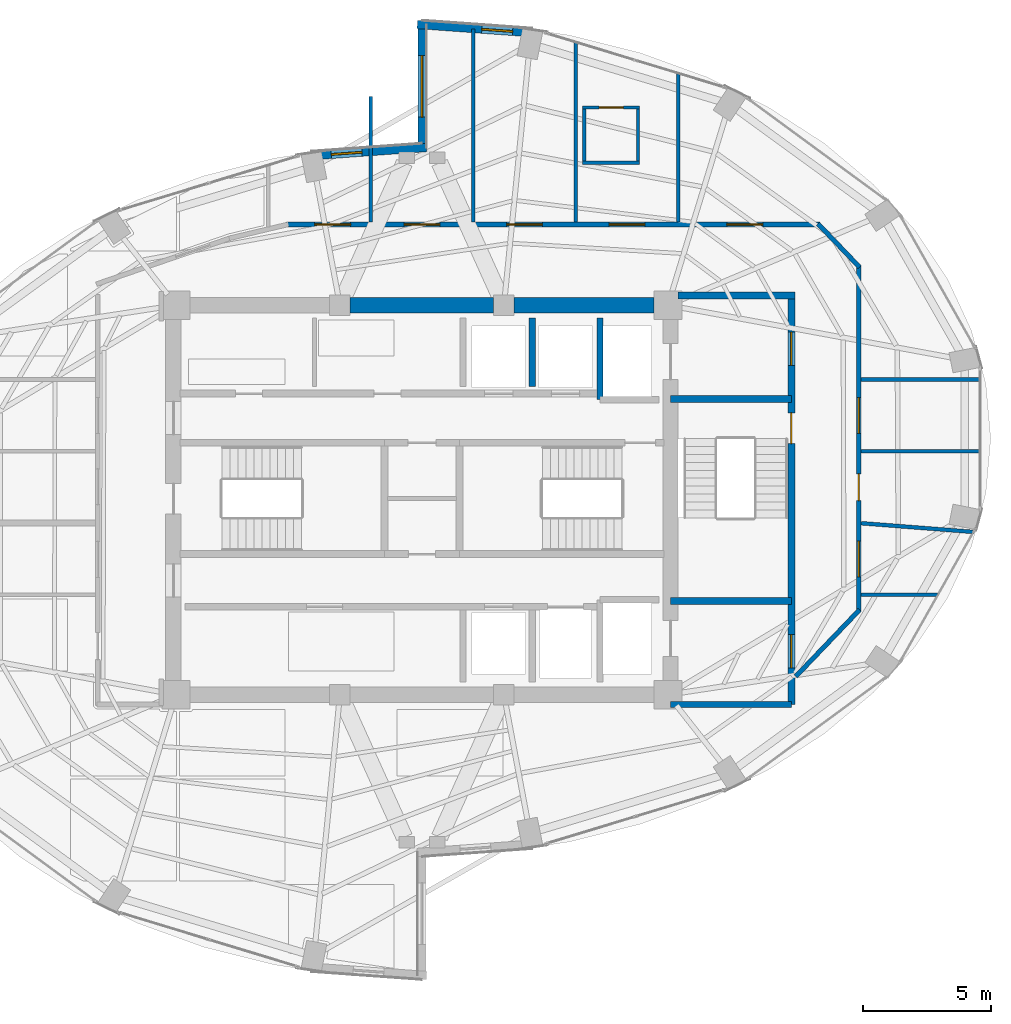
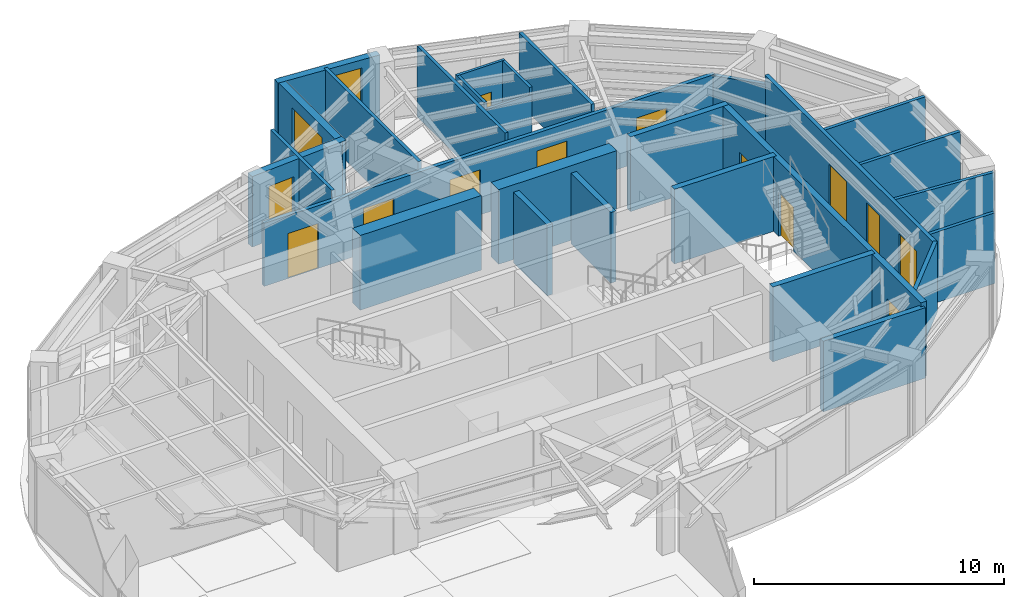
# One storey, part 20 of 23: 28 walls, 12 doors, 3 windows, 15 openings.
"""IFC4 building model written with IfcOpenShell, lengths in metres."""

from ifc_helpers import new_model, si_unit, direction, frame, frame_2d, origin, place, context, subcontext, project, spatial, rectangle, extrude, material, layer, layer_set, type_object, element, fill, save


model = new_model("IFC4")

# Units and contexts
model_context = context("Model", 3, precision=1e-05, world=origin(), true_north=direction((0.0, 1.0)))
body_context = subcontext(model_context, "Body", "Model", "MODEL_VIEW")
ifc_project = project(units=[si_unit("LENGTHUNIT", "METRE"), si_unit("AREAUNIT", "SQUARE_METRE"), si_unit("VOLUMEUNIT", "CUBIC_METRE"), si_unit("PLANEANGLEUNIT", "RADIAN"), si_unit("MASSUNIT", "GRAM", prefix="KILO")], contexts=[model_context])

# Site, building, storey
site_placement = place(None, origin())
site = spatial("IfcSite", under=ifc_project, at=site_placement, CompositionType="ELEMENT")
building_placement = place(site_placement, origin())
building = spatial("IfcBuilding", under=site, at=building_placement, Name="Lazwardi Medical Tower", CompositionType="ELEMENT")
storey_placement = place(building_placement, frame((0.0, 0.0, 202.1279296875)))
storey = spatial("IfcBuildingStorey", under=building, at=storey_placement, Name="L52", CompositionType="ELEMENT", Elevation=202.1279296875)

# Wall, openings, doors
ifc_material_1 = material(Name="Fire-rated gypsum board on steel stud", Category="steel")
ifc_layer_1 = layer(ifc_material_1, 0.179931640625)
ifc_layer_set_1 = layer_set([ifc_layer_1], Name="Fire-rated gypsum board on steel stud")
wall_type_1 = type_object("IfcWallType", Name="WL-COR-180", PredefinedType="PARTITIONING", material=ifc_layer_set_1)
wall_1_placement = place(storey_placement, frame((30.709716796875, 38.75, 0.0), z_axis=(0.0, 0.0, 1.0), x_axis=(1.0, 0.0, 0.0)))
wall_1 = element("IfcWall", 1, at=wall_1_placement, inside=storey, type_object=wall_type_1, Name="L52 Corridor partition 3", PredefinedType="PARTITIONING", context=body_context, shape_type="SweptSolid", body=[
    extrude(rectangle(XDim=20.8154296875, YDim=0.179931640625, at=frame_2d((10.40771484375, 0.0))), origin(), (0.0, 0.0, 1.0), 3.072998046875),
])
opening_1_placement = place(wall_1_placement, frame((17.19384765625, 0.0, 0.0)))
opening_1 = element("IfcOpeningElement", 2, at=opening_1_placement, cuts=wall_1, Name="Opening D-L52-016", PredefinedType="OPENING", context=body_context, shape_type="SweptSolid", body=[
    extrude(rectangle(XDim=1.39990234375, YDim=2.199951171875, at=frame_2d((0.699951171875, 1.10009765625))), frame((0.0, 0.099853515625, 0.0), z_axis=(0.0, -1.0, 0.0), x_axis=(1.0, 0.0, 0.0)), (0.0, 0.0, 1.0), 0.199951171875),
])
opening_2_placement = place(wall_1_placement, frame((12.590087890625, 0.0, 0.0)))
opening_2 = element("IfcOpeningElement", 3, at=opening_2_placement, cuts=wall_1, Name="Opening D-L52-017", PredefinedType="OPENING", context=body_context, shape_type="SweptSolid", body=[
    extrude(rectangle(XDim=1.39990234375, YDim=2.199951171875, at=frame_2d((0.699951171875, 1.10009765625))), frame((0.0, 0.099853515625, 0.0), z_axis=(0.0, -1.0, 0.0), x_axis=(1.0, 0.0, 0.0)), (0.0, 0.0, 1.0), 0.199951171875),
])
opening_3_placement = place(wall_1_placement, frame((8.590087890625, 0.0, 0.0)))
opening_3 = element("IfcOpeningElement", 4, at=opening_3_placement, cuts=wall_1, Name="Opening D-L52-018", PredefinedType="OPENING", context=body_context, shape_type="SweptSolid", body=[
    extrude(rectangle(XDim=1.39990234375, YDim=2.199951171875, at=frame_2d((0.699951171875, 1.10009765625))), frame((0.0, 0.099853515625, 0.0), z_axis=(0.0, -1.0, 0.0), x_axis=(1.0, 0.0, 0.0)), (0.0, 0.0, 1.0), 0.199951171875),
])
opening_4_placement = place(wall_1_placement, frame((4.590087890625, 0.0, 0.0)))
opening_4 = element("IfcOpeningElement", 5, at=opening_4_placement, cuts=wall_1, Name="Opening D-L52-019", PredefinedType="OPENING", context=body_context, shape_type="SweptSolid", body=[
    extrude(rectangle(XDim=1.39990234375, YDim=2.199951171875, at=frame_2d((0.699951171875, 1.10009765625))), frame((0.0, 0.099853515625, 0.0), z_axis=(0.0, -1.0, 0.0), x_axis=(1.0, 0.0, 0.0)), (0.0, 0.0, 1.0), 0.199951171875),
])
opening_5_placement = place(wall_1_placement, frame((1.10400390625, 0.0, 0.0)))
opening_5 = element("IfcOpeningElement", 6, at=opening_5_placement, cuts=wall_1, Name="Opening D-L52-020", PredefinedType="OPENING", context=body_context, shape_type="SweptSolid", body=[
    extrude(rectangle(XDim=1.39990234375, YDim=2.199951171875, at=frame_2d((0.699951171875, 1.10009765625))), frame((0.0, 0.099853515625, 0.0), z_axis=(0.0, -1.0, 0.0), x_axis=(1.0, 0.0, 0.0)), (0.0, 0.0, 1.0), 0.199951171875),
])
ifc_material_2 = material(Name="Anti-microbial laminate hospital leaf")
door_type_1 = type_object("IfcDoorType", Name="DR-BED-1400", OperationType="NOTDEFINED", PredefinedType="DOOR", material=ifc_material_2)
door_1_placement = place(opening_1_placement, origin())
door_1 = element("IfcDoor", 7, at=door_1_placement, inside=storey, type_object=door_type_1, Name="L52 Inpatient Ward Door 06", OperationType="SINGLE_SWING_LEFT", OverallHeight=2.199951171875, OverallWidth=1.39990234375, PredefinedType="DOOR", context=body_context, shape_type="SweptSolid", body=[
    extrude(rectangle(XDim=1.39990234375, YDim=2.199951171875, at=frame_2d((0.699951171875, 1.10009765625))), frame((0.0, 0.02490234375, 0.0), z_axis=(0.0, -1.0, 0.0), x_axis=(1.0, 0.0, 0.0)), (0.0, 0.0, 1.0), 0.050048828125),
])
fill(opening_1, door_1)
door_2_placement = place(opening_2_placement, origin())
door_2 = element("IfcDoor", 8, at=door_2_placement, inside=storey, type_object=door_type_1, Name="L52 Patient Bedroom Door 07", OperationType="SINGLE_SWING_LEFT", OverallHeight=2.199951171875, OverallWidth=1.39990234375, PredefinedType="DOOR", context=body_context, shape_type="SweptSolid", body=[
    extrude(rectangle(XDim=1.39990234375, YDim=2.199951171875, at=frame_2d((0.699951171875, 1.10009765625))), frame((0.0, 0.02490234375, 0.0), z_axis=(0.0, -1.0, 0.0), x_axis=(1.0, 0.0, 0.0)), (0.0, 0.0, 1.0), 0.050048828125),
])
fill(opening_2, door_2)
door_3_placement = place(opening_3_placement, origin())
door_3 = element("IfcDoor", 9, at=door_3_placement, inside=storey, type_object=door_type_1, Name="L52 Inpatient Ward Door 08", OperationType="SINGLE_SWING_RIGHT", OverallHeight=2.199951171875, OverallWidth=1.39990234375, PredefinedType="DOOR", context=body_context, shape_type="SweptSolid", body=[
    extrude(rectangle(XDim=1.39990234375, YDim=2.199951171875, at=frame_2d((0.699951171875, 1.10009765625))), frame((0.0, 0.02490234375, 0.0), z_axis=(0.0, -1.0, 0.0), x_axis=(1.0, 0.0, 0.0)), (0.0, 0.0, 1.0), 0.050048828125),
])
fill(opening_3, door_3)
door_4_placement = place(opening_4_placement, origin())
door_4 = element("IfcDoor", 10, at=door_4_placement, inside=storey, type_object=door_type_1, Name="L52 Outpatient Clinic Door 09", OperationType="SINGLE_SWING_LEFT", OverallHeight=2.199951171875, OverallWidth=1.39990234375, PredefinedType="DOOR", context=body_context, shape_type="SweptSolid", body=[
    extrude(rectangle(XDim=1.39990234375, YDim=2.199951171875, at=frame_2d((0.699951171875, 1.10009765625))), frame((0.0, 0.02490234375, 0.0), z_axis=(0.0, -1.0, 0.0), x_axis=(1.0, 0.0, 0.0)), (0.0, 0.0, 1.0), 0.050048828125),
])
fill(opening_4, door_4)
door_5_placement = place(opening_5_placement, origin())
door_5 = element("IfcDoor", 11, at=door_5_placement, inside=storey, type_object=door_type_1, Name="L52 Outpatient Clinic Door 10", OperationType="SINGLE_SWING_RIGHT", OverallHeight=2.199951171875, OverallWidth=1.39990234375, PredefinedType="DOOR", context=body_context, shape_type="SweptSolid", body=[
    extrude(rectangle(XDim=1.39990234375, YDim=2.199951171875, at=frame_2d((0.699951171875, 1.10009765625))), frame((0.0, 0.02490234375, 0.0), z_axis=(0.0, -1.0, 0.0), x_axis=(1.0, 0.0, 0.0)), (0.0, 0.0, 1.0), 0.050048828125),
])
fill(opening_5, door_5)

# Wall
wall_2_placement = place(storey_placement, frame((51.45751953125, 38.77880859375, 0.0), z_axis=(0.0, 0.0, 1.0), x_axis=(0.691359830363, -0.722510612352, 0.0)))
element("IfcWall", 12, at=wall_2_placement, inside=storey, type_object=wall_type_1, Name="L52 Corridor partition 4", PredefinedType="PARTITIONING", context=body_context, shape_type="SweptSolid", body=[
    extrude(rectangle(XDim=2.34326171875, YDim=0.179931640625, at=frame_2d((1.171630859375, 0.0))), origin(), (0.0, 0.0, 1.0), 3.032958984375),
])

# Wall, openings, doors
wall_3_placement = place(storey_placement, frame((53.050048828125, 37.154541015625, 0.0), z_axis=(0.0, 0.0, 1.0), x_axis=(0.0, -1.0, 0.0)))
wall_3 = element("IfcWall", 13, at=wall_3_placement, inside=storey, type_object=wall_type_1, Name="L52 Corridor partition 5", PredefinedType="PARTITIONING", context=body_context, shape_type="SweptSolid", body=[
    extrude(rectangle(XDim=13.509033203125, YDim=0.179931640625, at=frame_2d((6.75439453125, 0.0))), origin(), (0.0, 0.0, 1.0), 3.447998046875),
])
opening_6_placement = place(wall_3_placement, frame((10.7578125, 0.0, 0.0)))
opening_6 = element("IfcOpeningElement", 14, at=opening_6_placement, cuts=wall_3, Name="Opening D-L52-013", PredefinedType="OPENING", context=body_context, shape_type="SweptSolid", body=[
    extrude(rectangle(XDim=1.39990234375, YDim=2.199951171875, at=frame_2d((0.699951171875, 1.10009765625))), frame((0.0, 0.099853515625, 0.0), z_axis=(0.0, -1.0, 0.0), x_axis=(1.0, 0.0, 0.0)), (0.0, 0.0, 1.0), 0.199951171875),
])
opening_7_placement = place(wall_3_placement, frame((8.132568359375, 0.0, 0.0)))
opening_7 = element("IfcOpeningElement", 15, at=opening_7_placement, cuts=wall_3, Name="Opening D-L52-014", PredefinedType="OPENING", context=body_context, shape_type="SweptSolid", body=[
    extrude(rectangle(XDim=1.050048828125, YDim=2.14990234375, at=frame_2d((0.52490234375, 1.074951171875))), frame((0.0, 0.099853515625, 0.0), z_axis=(0.0, -1.0, 0.0), x_axis=(1.0, 0.0, 0.0)), (0.0, 0.0, 1.0), 0.199951171875),
])
opening_8_placement = place(wall_3_placement, frame((5.154541015625, 0.0, 0.0)))
opening_8 = element("IfcOpeningElement", 16, at=opening_8_placement, cuts=wall_3, Name="Opening D-L52-015", PredefinedType="OPENING", context=body_context, shape_type="SweptSolid", body=[
    extrude(rectangle(XDim=1.39990234375, YDim=2.199951171875, at=frame_2d((0.699951171875, 1.10009765625))), frame((0.0, 0.099853515625, 0.0), z_axis=(0.0, -1.0, 0.0), x_axis=(1.0, 0.0, 0.0)), (0.0, 0.0, 1.0), 0.199951171875),
])
door_6_placement = place(opening_6_placement, origin())
door_6 = element("IfcDoor", 17, at=door_6_placement, inside=storey, type_object=door_type_1, Name="L52 Patient Day Lounge Door 03", OperationType="SINGLE_SWING_RIGHT", OverallHeight=2.199951171875, OverallWidth=1.39990234375, PredefinedType="DOOR", context=body_context, shape_type="SweptSolid", body=[
    extrude(rectangle(XDim=1.39990234375, YDim=2.199951171875, at=frame_2d((0.699951171875, 1.10009765625))), frame((0.0, 0.02490234375, 0.0), z_axis=(0.0, -1.0, 0.0), x_axis=(1.0, 0.0, 0.0)), (0.0, 0.0, 1.0), 0.050048828125),
])
fill(opening_6, door_6)
door_7_placement = place(opening_8_placement, origin())
door_7 = element("IfcDoor", 18, at=door_7_placement, inside=storey, type_object=door_type_1, Name="L52 Outpatient Clinic Door 05", OperationType="SINGLE_SWING_RIGHT", OverallHeight=2.199951171875, OverallWidth=1.39990234375, PredefinedType="DOOR", context=body_context, shape_type="SweptSolid", body=[
    extrude(rectangle(XDim=1.39990234375, YDim=2.199951171875, at=frame_2d((0.699951171875, 1.10009765625))), frame((0.0, 0.02490234375, 0.0), z_axis=(0.0, -1.0, 0.0), x_axis=(1.0, 0.0, 0.0)), (0.0, 0.0, 1.0), 0.050048828125),
])
fill(opening_8, door_7)
door_type_2 = type_object("IfcDoorType", Name="DR-CLN-1050", OperationType="NOTDEFINED", PredefinedType="DOOR", material=ifc_material_2)
door_8_placement = place(opening_7_placement, origin())
door_8 = element("IfcDoor", 19, at=door_8_placement, inside=storey, type_object=door_type_2, Name="L52 Ward Dietetic Pantry Door 04", OperationType="SINGLE_SWING_LEFT", OverallHeight=2.14990234375, OverallWidth=1.050048828125, PredefinedType="DOOR", context=body_context, shape_type="SweptSolid", body=[
    extrude(rectangle(XDim=1.050048828125, YDim=2.14990234375, at=frame_2d((0.52490234375, 1.074951171875))), frame((0.0, 0.02490234375, 0.0), z_axis=(0.0, -1.0, 0.0), x_axis=(1.0, 0.0, 0.0)), (0.0, 0.0, 1.0), 0.050048828125),
])
fill(opening_7, door_8)

# Walls
wall_4_placement = place(storey_placement, frame((53.07763671875, 23.71435546875, 0.0), z_axis=(0.0, 0.0, 1.0), x_axis=(-0.691353379446, -0.722516785085, 0.0)))
element("IfcWall", 20, at=wall_4_placement, inside=storey, type_object=wall_type_1, Name="L52 Corridor partition 6", PredefinedType="PARTITIONING", context=body_context, shape_type="SweptSolid", body=[
    extrude(rectangle(XDim=3.603759765625, YDim=0.179931640625, at=frame_2d((1.8017578125, 0.0))), origin(), (0.0, 0.0, 1.0), 3.447998046875),
])
ifc_material_3 = material(Name="Concrete C60/75", Category="concrete")
ifc_layer_2 = layer(ifc_material_3, 0.60009765625)
ifc_layer_set_2 = layer_set([ifc_layer_2], Name="Concrete C60/75")
wall_type_2 = type_object("IfcWallType", Name="WL-CORE-600", PredefinedType="SHEAR", material=ifc_layer_set_2)
wall_5_placement = place(storey_placement, frame((33.199951171875, 35.60009765625, 0.0), z_axis=(0.0, 0.0, 1.0), x_axis=(1.0, 0.0, 0.0)))
element("IfcWall", 21, at=wall_5_placement, inside=storey, type_object=wall_type_2, Name="Core wall CW-S3 N2 L52", PredefinedType="SHEAR", context=body_context, shape_type="SweptSolid", body=[
    extrude(rectangle(XDim=5.60009765625, YDim=0.60009765625, at=frame_2d((2.800048828125, 0.0))), origin(), (0.0, 0.0, 1.0), 3.64794921875),
])
wall_6_placement = place(storey_placement, frame((39.60009765625, 35.60009765625, 0.0), z_axis=(0.0, 0.0, 1.0), x_axis=(1.0, 0.0, 0.0)))
element("IfcWall", 22, at=wall_6_placement, inside=storey, type_object=wall_type_2, Name="Core wall CW-S3 N3 L52", PredefinedType="SHEAR", context=body_context, shape_type="SweptSolid", body=[
    extrude(rectangle(XDim=5.449951171875, YDim=0.60009765625, at=frame_2d((2.72509765625, 0.0))), origin(), (0.0, 0.0, 1.0), 3.64794921875),
])

# Wall, opening, door
ifc_material_4 = material(Name="Moisture-resistant gypsum board partition")
ifc_layer_3 = layer(ifc_material_4, 0.125)
ifc_layer_set_3 = layer_set([ifc_layer_3], Name="Moisture-resistant gypsum board partition")
wall_type_3 = type_object("IfcWallType", Name="WL-ENS-125", PredefinedType="PARTITIONING", material=ifc_layer_set_3)
wall_7_placement = place(storey_placement, frame((42.27490234375, 43.3193359375, 0.0), z_axis=(0.0, 0.0, 1.0), x_axis=(1.0, 0.0, 0.0)))
wall_7 = element("IfcWall", 23, at=wall_7_placement, inside=storey, type_object=wall_type_3, Name="L52 En-suite wall 7N", PredefinedType="PARTITIONING", context=body_context, shape_type="SweptSolid", body=[
    extrude(rectangle(XDim=2.22021484375, YDim=0.125, at=frame_2d((1.110107421875, 0.0))), origin(), (0.0, 0.0, 1.0), 3.447998046875),
])
opening_9_placement = place(wall_7_placement, frame((0.635009765625, 0.0, 0.0)))
opening_9 = element("IfcOpeningElement", 24, at=opening_9_placement, cuts=wall_7, Name="Opening D-L52-003", PredefinedType="OPENING", context=body_context, shape_type="SweptSolid", body=[
    extrude(rectangle(XDim=0.949951171875, YDim=2.10009765625, at=frame_2d((0.47509765625, 1.050048828125))), frame((0.0, 0.072509765625, 0.0), z_axis=(0.0, -1.0, 0.0), x_axis=(1.0, 0.0, 0.0)), (0.0, 0.0, 1.0), 0.14501953125),
])
ifc_material_5 = material(Name="Moisture-resistant laminate door leaf")
door_type_3 = type_object("IfcDoorType", Name="DR-ENS-950", OperationType="NOTDEFINED", PredefinedType="DOOR", material=ifc_material_5)
door_9_placement = place(opening_9_placement, origin())
door_9 = element("IfcDoor", 25, at=door_9_placement, inside=storey, type_object=door_type_3, Name="L52 En-suite Door 07", OperationType="SINGLE_SWING_RIGHT", OverallHeight=2.10009765625, OverallWidth=0.949951171875, PredefinedType="DOOR", context=body_context, shape_type="SweptSolid", body=[
    extrude(rectangle(XDim=0.949951171875, YDim=2.10009765625, at=frame_2d((0.47509765625, 1.050048828125))), frame((0.0, 0.02490234375, 0.0), z_axis=(0.0, -1.0, 0.0), x_axis=(1.0, 0.0, 0.0)), (0.0, 0.0, 1.0), 0.050048828125),
])
fill(opening_9, door_9)

# Walls
wall_8_placement = place(storey_placement, frame((42.27490234375, 41.159423828125, 0.0), z_axis=(0.0, 0.0, 1.0), x_axis=(1.0, 0.0, 0.0)))
element("IfcWall", 26, at=wall_8_placement, inside=storey, type_object=wall_type_3, Name="L52 En-suite wall 7S", PredefinedType="PARTITIONING", context=body_context, shape_type="SweptSolid", body=[
    extrude(rectangle(XDim=2.22021484375, YDim=0.125, at=frame_2d((1.110107421875, 0.0))), origin(), (0.0, 0.0, 1.0), 3.072998046875),
])
for number, where, z_axis, x_axis, name in (
    (27, (44.43505859375, 41.099365234375, 0.0), (0.0, 0.0, 1.0), (0.0, 1.0, 0.0), "L52 En-suite wall 7E"),
    (28, (42.3349609375, 41.099365234375, 0.0), (0.0, 0.0, 1.0), (0.0, 1.0, 0.0), "L52 En-suite wall 7W"),
):
    element("IfcWall", number, at=place(storey_placement, frame(where, z_axis=z_axis, x_axis=x_axis)), inside=storey, type_object=wall_type_3, Name=name, PredefinedType="PARTITIONING", context=body_context, shape_type="SweptSolid", body=[
        extrude(rectangle(XDim=2.280029296875, YDim=0.125, at=frame_2d((1.14013671875, 0.0))), origin(), (0.0, 0.0, 1.0), 3.447998046875),
    ])

# Wall, opening, window
ifc_material_6 = material(Name="Precast concrete C45/55", Category="concrete")
ifc_layer_4 = layer(ifc_material_6, 0.320068359375)
ifc_layer_set_4 = layer_set([ifc_layer_4], Name="Precast concrete C45/55")
wall_type_4 = type_object("IfcWallType", Name="WL-IWAN-320", PredefinedType="SOLIDWALL", material=ifc_layer_set_4)
wall_9_placement = place(storey_placement, frame((40.349609375, 46.226318359375, 0.0), z_axis=(0.0, 0.0, 1.0), x_axis=(-0.997409061056, 0.071938619141, 0.0)))
wall_9 = element("IfcWall", 29, at=wall_9_placement, inside=storey, type_object=wall_type_4, Name="L52 Iwan Portal Return Wall NE_ret", PredefinedType="SOLIDWALL", context=body_context, shape_type="SweptSolid", body=[
    extrude(rectangle(XDim=4.540771484375, YDim=0.320068359375, at=frame_2d((2.2705078125, 0.0))), origin(), (0.0, 0.0, 1.0), 3.447998046875),
])
opening_10_placement = place(wall_9_placement, frame((0.814697265625, 0.0, 0.85009765625)))
opening_10 = element("IfcOpeningElement", 30, at=opening_10_placement, cuts=wall_9, Name="Opening WN-01", PredefinedType="OPENING", context=body_context, shape_type="SweptSolid", body=[
    extrude(rectangle(XDim=1.199951171875, YDim=2.199951171875, at=frame_2d((0.60009765625, 1.10009765625))), frame((0.0, 0.169921875, 0.0), z_axis=(0.0, -1.0, 0.0), x_axis=(1.0, 0.0, 0.0)), (0.0, 0.0, 1.0), 0.340087890625),
])
ifc_material_7 = material(Name="Low-e bronze solar control double glazing", Category="glass")
window_type_1 = type_object("IfcWindowType", Name="WIN-IW-1200", PartitioningType="SINGLE_PANEL", PredefinedType="WINDOW", material=ifc_material_7)
window_1_placement = place(opening_10_placement, origin())
window_1 = element("IfcWindow", 31, at=window_1_placement, inside=storey, type_object=window_type_1, Name="L52 Iwan Slot Window NE_ret", OverallHeight=2.199951171875, OverallWidth=1.199951171875, PartitioningType="SINGLE_PANEL", PredefinedType="WINDOW", context=body_context, shape_type="SweptSolid", body=[
    extrude(rectangle(XDim=1.199951171875, YDim=2.199951171875, at=frame_2d((0.60009765625, 1.10009765625))), frame((0.0, 0.030029296875, 0.0), z_axis=(0.0, -1.0, 0.0), x_axis=(1.0, 0.0, 0.0)), (0.0, 0.0, 1.0), 0.06005859375),
])
fill(opening_10, window_1)

wall_10_placement = place(storey_placement, frame((36.17919921875, 41.7529296875, 0.0), z_axis=(0.0, 0.0, 1.0), x_axis=(-0.997408782787, -0.071942477163, 0.0)))
wall_10 = element("IfcWall", 32, at=wall_10_placement, inside=storey, type_object=wall_type_4, Name="L52 Iwan Portal Return Wall NW_ret", PredefinedType="SOLIDWALL", context=body_context, shape_type="SweptSolid", body=[
    extrude(rectangle(XDim=4.54052734375, YDim=0.320068359375, at=frame_2d((2.270263671875, 0.0))), origin(), (0.0, 0.0, 1.0), 3.447998046875),
])
opening_11_placement = place(wall_10_placement, frame((2.52587890625, 0.0, 0.85009765625)))
opening_11 = element("IfcOpeningElement", 33, at=opening_11_placement, cuts=wall_10, Name="Opening WN-04", PredefinedType="OPENING", context=body_context, shape_type="SweptSolid", body=[
    extrude(rectangle(XDim=1.199951171875, YDim=1.800048828125, at=frame_2d((0.60009765625, 0.89990234375))), frame((0.0, 0.169921875, 0.0), z_axis=(0.0, -1.0, 0.0), x_axis=(1.0, 0.0, 0.0)), (0.0, 0.0, 1.0), 0.340087890625),
])
window_type_2 = type_object("IfcWindowType", Name="WIN-DRUM-1200", PartitioningType="SINGLE_PANEL", PredefinedType="WINDOW", material=ifc_material_7)
window_2_placement = place(opening_11_placement, origin())
window_2 = element("IfcWindow", 34, at=window_2_placement, inside=storey, type_object=window_type_2, Name="L52 Iwan Slot Window NW_ret", OverallHeight=1.800048828125, OverallWidth=1.199951171875, PartitioningType="SINGLE_PANEL", PredefinedType="WINDOW", context=body_context, shape_type="SweptSolid", body=[
    extrude(rectangle(XDim=1.199951171875, YDim=1.800048828125, at=frame_2d((0.60009765625, 0.89990234375))), frame((0.0, 0.030029296875, 0.0), z_axis=(0.0, -1.0, 0.0), x_axis=(1.0, 0.0, 0.0)), (0.0, 0.0, 1.0), 0.06005859375),
])
fill(opening_11, window_2)

wall_11_placement = place(storey_placement, frame((36.0, 46.699951171875, 0.0), z_axis=(0.0, 0.0, 1.0), x_axis=(0.0, -1.0, 0.0)))
wall_11 = element("IfcWall", 35, at=wall_11_placement, inside=storey, type_object=wall_type_4, Name="L52 Turquoise Tilework Iwan Seam Wall N_seam", PredefinedType="SOLIDWALL", context=body_context, shape_type="SweptSolid", body=[
    extrude(rectangle(XDim=5.119873046875, YDim=0.320068359375, at=frame_2d((2.56005859375, 0.0))), origin(), (0.0, 0.0, 1.0), 3.447998046875),
])
opening_12_placement = place(wall_11_placement, frame((1.360107421875, 0.0, 0.840087890625)))
opening_12 = element("IfcOpeningElement", 36, at=opening_12_placement, cuts=wall_11, Name="Opening WN-02", PredefinedType="OPENING", context=body_context, shape_type="SweptSolid", body=[
    extrude(rectangle(XDim=2.39990234375, YDim=2.0400390625, at=frame_2d((1.199951171875, 1.02001953125))), frame((0.0, 0.169921875, 0.0), z_axis=(0.0, -1.0, 0.0), x_axis=(1.0, 0.0, 0.0)), (0.0, 0.0, 1.0), 0.340087890625),
])
window_type_3 = type_object("IfcWindowType", Name="WIN-IW-2400", PartitioningType="SINGLE_PANEL", PredefinedType="WINDOW", material=ifc_material_7)
window_3_placement = place(opening_12_placement, origin())
window_3 = element("IfcWindow", 37, at=window_3_placement, inside=storey, type_object=window_type_3, Name="L52 Iwan Seam Window N_seam", OverallHeight=2.0400390625, OverallWidth=2.39990234375, PartitioningType="SINGLE_PANEL", PredefinedType="WINDOW", context=body_context, shape_type="SweptSolid", body=[
    extrude(rectangle(XDim=2.39990234375, YDim=2.0400390625, at=frame_2d((1.199951171875, 1.02001953125))), frame((0.0, 0.030029296875, 0.0), z_axis=(0.0, -1.0, 0.0), x_axis=(1.0, 0.0, 0.0)), (0.0, 0.0, 1.0), 0.06005859375),
])
fill(opening_12, window_3)

# Walls
ifc_material_8 = material(Name="Autoclaved aerated concrete blockwork", Category="masonry")
ifc_layer_5 = layer(ifc_material_8, 0.25)
ifc_layer_set_5 = layer_set([ifc_layer_5], Name="Autoclaved aerated concrete blockwork")
wall_type_5 = type_object("IfcWallType", Name="WL-SHAFT-250", PredefinedType="SOLIDWALL", material=ifc_layer_set_5)
wall_12_placement = place(storey_placement, frame((42.949951171875, 31.919921875, 0.0), z_axis=(0.0, 0.0, 1.0), x_axis=(0.0, 1.0, 0.0)))
element("IfcWall", 38, at=wall_12_placement, inside=storey, type_object=wall_type_5, Name="L52 FL-01 West shaft wall", PredefinedType="SOLIDWALL", context=body_context, shape_type="SweptSolid", body=[
    extrude(rectangle(XDim=3.18017578125, YDim=0.25, at=frame_2d((1.590087890625, 0.0))), origin(), (0.0, 0.0, 1.0), 3.447998046875),
])
wall_13_placement = place(storey_placement, frame((40.300048828125, 32.419921875, 0.0), z_axis=(0.0, 0.0, 1.0), x_axis=(0.0, 1.0, 0.0)))
element("IfcWall", 39, at=wall_13_placement, inside=storey, type_object=wall_type_5, Name="L52 North hoistway divider", PredefinedType="SOLIDWALL", context=body_context, shape_type="SweptSolid", body=[
    extrude(rectangle(XDim=2.68017578125, YDim=0.25, at=frame_2d((1.340087890625, 0.0))), origin(), (0.0, 0.0, 1.0), 3.447998046875),
])
wall_14_placement = place(storey_placement, frame((45.699951171875, 20.02001953125, 0.0), z_axis=(0.0, 0.0, 1.0), x_axis=(1.0, 0.0, 0.0)))
element("IfcWall", 40, at=wall_14_placement, inside=storey, type_object=wall_type_5, Name="L52 FFL-S South wall", PredefinedType="SOLIDWALL", context=body_context, shape_type="SweptSolid", body=[
    extrude(rectangle(XDim=4.715087890625, YDim=0.25, at=frame_2d((2.357421875, 0.0))), origin(), (0.0, 0.0, 1.0), 3.447998046875),
])

# Wall, openings, doors
ifc_material_9 = material(Name="Concrete C50/60", Category="concrete")
ifc_layer_6 = layer(ifc_material_9, 0.27001953125)
ifc_layer_set_6 = layer_set([ifc_layer_6], Name="Concrete C50/60")
wall_type_6 = type_object("IfcWallType", Name="WL-STR-250", PredefinedType="SHEAR", material=ifc_layer_set_6)
wall_15_placement = place(storey_placement, frame((50.4150390625, 35.844970703125, 0.0), z_axis=(0.0, 0.0, 1.0), x_axis=(0.0, -1.0, 0.0)))
wall_15 = element("IfcWall", 41, at=wall_15_placement, inside=storey, type_object=wall_type_6, Name="L52 East ST3 & FFL shear wall SW-S1", PredefinedType="SHEAR", context=body_context, shape_type="SweptSolid", body=[
    extrude(rectangle(XDim=15.824951171875, YDim=0.27001953125, at=frame_2d((7.91259765625, 0.0))), origin(), (0.0, 0.0, 1.0), 3.64794921875),
])
opening_13_placement = place(wall_15_placement, frame((4.445068359375, 0.0, 0.0)))
opening_13 = element("IfcOpeningElement", 42, at=opening_13_placement, cuts=wall_15, Name="Opening D-L52-026", PredefinedType="OPENING", context=body_context, shape_type="SweptSolid", body=[
    extrude(rectangle(XDim=1.199951171875, YDim=2.14990234375, at=frame_2d((0.60009765625, 1.074951171875))), frame((0.0, 0.14501953125, 0.0), z_axis=(0.0, -1.0, 0.0), x_axis=(1.0, 0.0, 0.0)), (0.0, 0.0, 1.0), 0.2900390625),
])
opening_14_placement = place(wall_15_placement, frame((1.294921875, 0.0, 0.0)))
opening_14 = element("IfcOpeningElement", 43, at=opening_14_placement, cuts=wall_15, Name="Opening D-L52-007", PredefinedType="OPENING", context=body_context, shape_type="SweptSolid", body=[
    extrude(rectangle(XDim=1.300048828125, YDim=2.199951171875, at=frame_2d((0.64990234375, 1.10009765625))), frame((0.0, 0.14501953125, 0.0), z_axis=(0.0, -1.0, 0.0), x_axis=(1.0, 0.0, 0.0)), (0.0, 0.0, 1.0), 0.2900390625),
])
opening_15_placement = place(wall_15_placement, frame((13.094970703125, 0.0, 0.0)))
opening_15 = element("IfcOpeningElement", 44, at=opening_15_placement, cuts=wall_15, Name="Opening D-L52-008", PredefinedType="OPENING", context=body_context, shape_type="SweptSolid", body=[
    extrude(rectangle(XDim=1.300048828125, YDim=2.199951171875, at=frame_2d((0.64990234375, 1.10009765625))), frame((0.0, 0.14501953125, 0.0), z_axis=(0.0, -1.0, 0.0), x_axis=(1.0, 0.0, 0.0)), (0.0, 0.0, 1.0), 0.2900390625),
])
ifc_material_10 = material(Name="Fire-rated steel leaf and frame", Category="steel")
door_type_4 = type_object("IfcDoorType", Name="DR-FFL-1300", OperationType="NOTDEFINED", PredefinedType="DOOR", material=ifc_material_10)
door_10_placement = place(opening_14_placement, origin())
door_10 = element("IfcDoor", 45, at=door_10_placement, inside=storey, type_object=door_type_4, Name="L52 Fire-Fighting Lobby North Door", OperationType="SINGLE_SWING_RIGHT", OverallHeight=2.199951171875, OverallWidth=1.300048828125, PredefinedType="DOOR", context=body_context, shape_type="SweptSolid", body=[
    extrude(rectangle(XDim=1.300048828125, YDim=2.199951171875, at=frame_2d((0.64990234375, 1.10009765625))), frame((0.0, 0.02490234375, 0.0), z_axis=(0.0, -1.0, 0.0), x_axis=(1.0, 0.0, 0.0)), (0.0, 0.0, 1.0), 0.050048828125),
])
fill(opening_14, door_10)
door_11_placement = place(opening_15_placement, origin())
door_11 = element("IfcDoor", 46, at=door_11_placement, inside=storey, type_object=door_type_4, Name="L52 Fire-Fighting Lobby South Door", OperationType="SINGLE_SWING_LEFT", OverallHeight=2.199951171875, OverallWidth=1.300048828125, PredefinedType="DOOR", context=body_context, shape_type="SweptSolid", body=[
    extrude(rectangle(XDim=1.300048828125, YDim=2.199951171875, at=frame_2d((0.64990234375, 1.10009765625))), frame((0.0, 0.02490234375, 0.0), z_axis=(0.0, -1.0, 0.0), x_axis=(1.0, 0.0, 0.0)), (0.0, 0.0, 1.0), 0.050048828125),
])
fill(opening_15, door_11)
door_type_5 = type_object("IfcDoorType", Name="DR-STR-1200", OperationType="NOTDEFINED", PredefinedType="DOOR", material=ifc_material_10)
door_12_placement = place(opening_13_placement, origin())
door_12 = element("IfcDoor", 47, at=door_12_placement, inside=storey, type_object=door_type_5, Name="L52 Exit Stair ST3 Door", OperationType="SINGLE_SWING_LEFT", OverallHeight=2.14990234375, OverallWidth=1.199951171875, PredefinedType="DOOR", context=body_context, shape_type="SweptSolid", body=[
    extrude(rectangle(XDim=1.199951171875, YDim=2.14990234375, at=frame_2d((0.60009765625, 1.074951171875))), frame((0.0, 0.02490234375, 0.0), z_axis=(0.0, -1.0, 0.0), x_axis=(1.0, 0.0, 0.0)), (0.0, 0.0, 1.0), 0.050048828125),
])
fill(opening_13, door_12)

# Walls
wall_16_placement = place(storey_placement, frame((46.0, 35.97998046875, 0.0), z_axis=(0.0, 0.0, 1.0), x_axis=(1.0, 0.0, 0.0)))
element("IfcWall", 48, at=wall_16_placement, inside=storey, type_object=wall_type_6, Name="L52 FFL-N North shear wall SW-S1", PredefinedType="SHEAR", context=body_context, shape_type="SweptSolid", body=[
    extrude(rectangle(XDim=4.550048828125, YDim=0.27001953125, at=frame_2d((2.27490234375, 0.0))), origin(), (0.0, 0.0, 1.0), 3.64794921875),
])
for number, where, z_axis, x_axis, name in (
    (49, (45.699951171875, 31.93505859375, 0.0), (0.0, 0.0, 1.0), (1.0, 0.0, 0.0), "L52 ST3 North shear shaft wall SW-S1"),
    (50, (45.699951171875, 24.06494140625, 0.0), (0.0, 0.0, 1.0), (1.0, 0.0, 0.0), "L52 ST3 South shear shaft wall SW-S1"),
):
    element("IfcWall", number, at=place(storey_placement, frame(where, z_axis=z_axis, x_axis=x_axis)), inside=storey, type_object=wall_type_6, Name=name, PredefinedType="SHEAR", context=body_context, shape_type="SweptSolid", body=[
        extrude(rectangle(XDim=4.715087890625, YDim=0.27001953125, at=frame_2d((2.357421875, 0.0))), origin(), (0.0, 0.0, 1.0), 3.64794921875),
    ])
ifc_material_11 = material(Name="Acoustic gypsum board partition")
ifc_layer_7 = layer(ifc_material_11, 0.14990234375)
ifc_layer_set_7 = layer_set([ifc_layer_7], Name="Acoustic gypsum board partition")
wall_type_7 = type_object("IfcWallType", Name="WL-WRD-150", PredefinedType="PARTITIONING", material=ifc_layer_set_7)
wall_17_placement = place(storey_placement, frame((53.139892578125, 24.300048828125, 0.0), z_axis=(0.0, 0.0, 1.0), x_axis=(1.0, 0.0, 0.0)))
element("IfcWall", 51, at=wall_17_placement, inside=storey, type_object=wall_type_7, Name="L52 Room partition 5", PredefinedType="PARTITIONING", context=body_context, shape_type="SweptSolid", body=[
    extrude(rectangle(XDim=2.982177734375, YDim=0.14990234375, at=frame_2d((1.4912109375, 0.0))), origin(), (0.0, 0.0, 1.0), 3.447998046875),
])
wall_18_placement = place(storey_placement, frame((53.139892578125, 27.09423828125, 0.0), z_axis=(0.0, 0.0, 1.0), x_axis=(0.996990775312, -0.077520280847, 0.0)))
element("IfcWall", 52, at=wall_18_placement, inside=storey, type_object=wall_type_7, Name="L52 Room partition 6", PredefinedType="PARTITIONING", context=body_context, shape_type="SweptSolid", body=[
    extrude(rectangle(XDim=4.396484375, YDim=0.14990234375, at=frame_2d((2.1982421875, 0.0))), origin(), (0.0, 0.0, 1.0), 3.447998046875),
])
for number, where, z_axis, x_axis, name in (
    (53, (53.139892578125, 29.89990234375, 0.0), (0.0, 0.0, 1.0), (1.0, 0.0, 0.0), "L52 Room partition 7"),
    (54, (53.139892578125, 32.699951171875, 0.0), (0.0, 0.0, 1.0), (1.0, 0.0, 0.0), "L52 Room partition 8"),
):
    element("IfcWall", number, at=place(storey_placement, frame(where, z_axis=z_axis, x_axis=x_axis)), inside=storey, type_object=wall_type_7, Name=name, PredefinedType="PARTITIONING", context=body_context, shape_type="SweptSolid", body=[
        extrude(rectangle(XDim=4.6318359375, YDim=0.14990234375, at=frame_2d((2.31591796875, 0.0))), origin(), (0.0, 0.0, 1.0), 3.447998046875),
    ])
wall_19_placement = place(storey_placement, frame((34.0, 38.840087890625, 0.0), z_axis=(0.0, 0.0, 1.0), x_axis=(0.0, 1.0, 0.0)))
element("IfcWall", 55, at=wall_19_placement, inside=storey, type_object=wall_type_7, Name="L52 Room partition 10", PredefinedType="PARTITIONING", context=body_context, shape_type="SweptSolid", body=[
    extrude(rectangle(XDim=4.904052734375, YDim=0.14990234375, at=frame_2d((2.4521484375, 0.0))), origin(), (0.0, 0.0, 1.0), 3.447998046875),
])
wall_20_placement = place(storey_placement, frame((38.0, 38.840087890625, 0.0), z_axis=(0.0, 0.0, 1.0), x_axis=(0.0, 1.0, 0.0)))
element("IfcWall", 56, at=wall_20_placement, inside=storey, type_object=wall_type_7, Name="L52 Room partition 11", PredefinedType="PARTITIONING", context=body_context, shape_type="SweptSolid", body=[
    extrude(rectangle(XDim=7.543212890625, YDim=0.14990234375, at=frame_2d((3.771484375, 0.0))), origin(), (0.0, 0.0, 1.0), 3.447998046875),
])
wall_21_placement = place(storey_placement, frame((42.0, 38.840087890625, 0.0), z_axis=(0.0, 0.0, 1.0), x_axis=(0.0, 1.0, 0.0)))
element("IfcWall", 57, at=wall_21_placement, inside=storey, type_object=wall_type_7, Name="L52 Room partition 12", PredefinedType="PARTITIONING", context=body_context, shape_type="SweptSolid", body=[
    extrude(rectangle(XDim=7.0078125, YDim=0.14990234375, at=frame_2d((3.50390625, 0.0))), origin(), (0.0, 0.0, 1.0), 3.447998046875),
])
wall_22_placement = place(storey_placement, frame((46.0, 38.840087890625, 0.0), z_axis=(0.0, 0.0, 1.0), x_axis=(0.0, 1.0, 0.0)))
element("IfcWall", 58, at=wall_22_placement, inside=storey, type_object=wall_type_7, Name="L52 Room partition 13", PredefinedType="PARTITIONING", context=body_context, shape_type="SweptSolid", body=[
    extrude(rectangle(XDim=5.793212890625, YDim=0.14990234375, at=frame_2d((2.896484375, 0.0))), origin(), (0.0, 0.0, 1.0), 3.447998046875),
])

save(model, "model.ifc")
